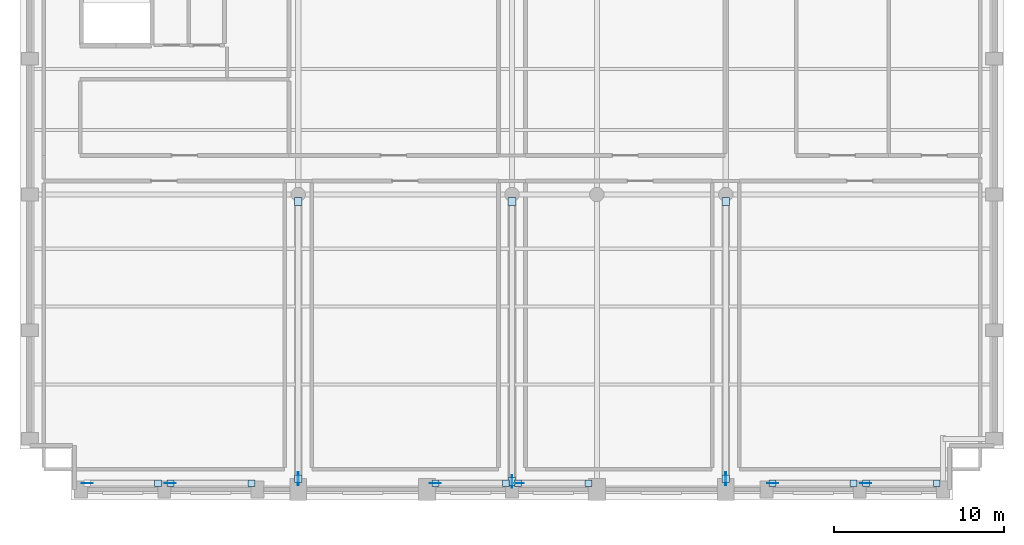
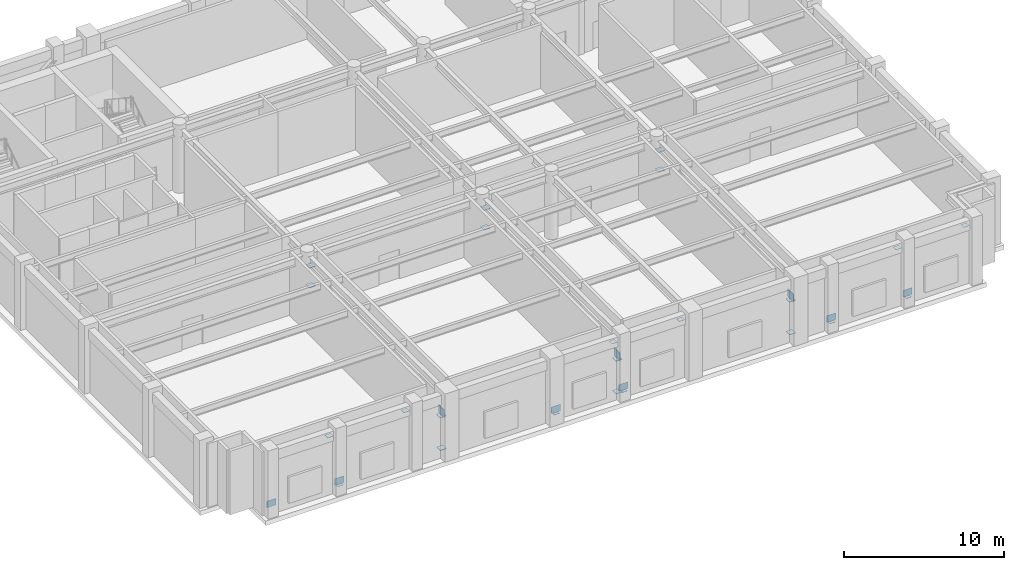
# One storey, part 3 of 11: 32 plates.
"""IFC4 building model written with IfcOpenShell, lengths in metres."""

from ifc_helpers import new_model, si_unit, direction, frame, origin, origin_2d, place, context, subcontext, project, spatial, rectangle, extrude, material, layer, layer_set, type_object, element, save


model = new_model("IFC4")

# Units and contexts
model_context = context("Model", 3, precision=1e-05, world=origin(), true_north=direction((0.0, 1.0)))
body_context = subcontext(model_context, "Body", "Model", "MODEL_VIEW")
ifc_project = project(units=[si_unit("LENGTHUNIT", "METRE"), si_unit("AREAUNIT", "SQUARE_METRE"), si_unit("VOLUMEUNIT", "CUBIC_METRE"), si_unit("PLANEANGLEUNIT", "RADIAN"), si_unit("MASSUNIT", "GRAM", prefix="KILO")], contexts=[model_context])

# Site, building, storey
site_placement = place(None, origin())
site = spatial("IfcSite", under=ifc_project, at=site_placement, CompositionType="ELEMENT")
building_placement = place(site_placement, origin())
building = spatial("IfcBuilding", under=site, at=building_placement, Name="Sulina Concourse Tower", CompositionType="ELEMENT")
storey_placement = place(building_placement, frame((0.0, 0.0, 238.60009765625)))
storey = spatial("IfcBuildingStorey", under=building, at=storey_placement, Name="L58", CompositionType="ELEMENT", Elevation=238.60009765625)

# Plates
ifc_material_1 = material(Name="Steel S355", Category="steel")
ifc_layer_1 = layer(ifc_material_1, 0.02490234375)
ifc_layer_set_1 = layer_set([ifc_layer_1], Name="Steel S355")
plate_type_1 = type_object("IfcPlateType", Name="Belt Truss Node Gusset Plate 25mm", PredefinedType="USERDEFINED", material=ifc_layer_set_1)
for number, where, z_axis, x_axis, name in (
    (1, (3.965087890625, 0.97998046875, 0.199951171875), (0.0, 0.0, 1.0), (1.0, 0.0, 0.0), "BLT-S1-L58 node gusset plate"),
    (2, (8.864990234375, 0.97998046875, 0.199951171875), (0.0, 0.0, 1.0), (1.0, 0.0, 0.0), "BLT-S2-L58 node gusset plate"),
    (3, (24.489990234375, 0.97998046875, 0.199951171875), (0.0, 0.0, 1.0), (1.0, 0.0, 0.0), "BLT-S3-L58 node gusset plate"),
    (4, (29.364990234375, 0.97998046875, 0.199951171875), (0.0, 0.0, 1.0), (1.0, 0.0, 0.0), "BLT-S4-L58 node gusset plate"),
    (5, (44.364990234375, 0.97998046875, 0.199951171875), (0.0, 0.0, 1.0), (1.0, 0.0, 0.0), "BLT-S5-L58 node gusset plate"),
    (6, (49.864990234375, 0.97998046875, 0.199951171875), (0.0, 0.0, 1.0), (1.0, 0.0, 0.0), "BLT-S6-L58 node gusset plate"),
):
    element("IfcPlate", number, at=place(storey_placement, frame(where, z_axis=z_axis, x_axis=x_axis)), inside=storey, type_object=plate_type_1, Name=name, ObjectType="GUSSET_PLATE", PredefinedType="USERDEFINED", context=body_context, shape_type="SweptSolid", body=[
        extrude(rectangle(XDim=0.64990234375, YDim=0.02490234375, at=origin_2d()), origin(), (0.0, 0.0, 1.0), 0.5),
    ])
ifc_material_2 = material(Name="Steel S355", Category="steel")
ifc_layer_2 = layer(ifc_material_2, 0.028076171875)
ifc_layer_set_2 = layer_set([ifc_layer_2], Name="Steel S355")
plate_type_2 = type_object("IfcPlateType", Name="Medium Hollow Section End-Cap Plate 28mm", PredefinedType="USERDEFINED", material=ifc_layer_set_2)
for number, where, z_axis, x_axis, name in (
    (7, (16.39990234375, 1.239990234375, 2.6357421875), (0.0, 0.0, 1.0), (1.0, 0.0, 0.0), "OUT-ST-W1-L58 end cap plate 1"),
    (8, (16.39990234375, 17.5849609375, 2.6357421875), (0.0, 0.0, 1.0), (1.0, 0.0, 0.0), "OUT-ST-W1-L58 end cap plate 2"),
    (9, (16.39990234375, 1.239990234375, 0.1357421875), (0.0, 0.0, 1.0), (1.0, 0.0, 0.0), "OUT-DG-W1-L58 end cap plate 1"),
    (10, (16.39990234375, 17.5849609375, 4.1357421875), (0.0, 0.0, 1.0), (1.0, 0.0, 0.0), "OUT-DG-W1-L58 end cap plate 2"),
    (11, (29.0, 1.090087890625, 2.6357421875), (0.0, 0.0, 1.0), (1.0, 0.0, 0.0), "OUT-ST-M1-L58 end cap plate 1"),
    (12, (29.0, 17.5849609375, 2.6357421875), (0.0, 0.0, 1.0), (1.0, 0.0, 0.0), "OUT-ST-M1-L58 end cap plate 2"),
    (13, (29.0, 1.090087890625, 0.1357421875), (0.0, 0.0, 1.0), (1.0, 0.0, 0.0), "OUT-DG-M1-L58 end cap plate 1"),
    (14, (29.0, 17.5849609375, 4.1357421875), (0.0, 0.0, 1.0), (1.0, 0.0, 0.0), "OUT-DG-M1-L58 end cap plate 2"),
    (15, (41.60009765625, 1.239990234375, 2.6357421875), (0.0, 0.0, 1.0), (1.0, 0.0, 0.0), "OUT-ST-E1-L58 end cap plate 1"),
    (16, (41.60009765625, 17.5849609375, 2.6357421875), (0.0, 0.0, 1.0), (1.0, 0.0, 0.0), "OUT-ST-E1-L58 end cap plate 2"),
    (17, (41.60009765625, 1.239990234375, 0.1357421875), (0.0, 0.0, 1.0), (1.0, 0.0, 0.0), "OUT-DG-E1-L58 end cap plate 1"),
    (18, (41.60009765625, 17.5849609375, 4.1357421875), (0.0, 0.0, 1.0), (1.0, 0.0, 0.0), "OUT-DG-E1-L58 end cap plate 2"),
):
    element("IfcPlate", number, at=place(storey_placement, frame(where, z_axis=z_axis, x_axis=x_axis)), inside=storey, type_object=plate_type_2, Name=name, ObjectType="CAP_PLATE", PredefinedType="USERDEFINED", context=body_context, shape_type="SweptSolid", body=[
        extrude(rectangle(XDim=0.4599609375, YDim=0.4599609375, at=origin_2d()), origin(), (0.0, 0.0, 1.0), 0.028076171875),
    ])
ifc_material_3 = material(Name="Steel S355", Category="steel")
ifc_layer_3 = layer(ifc_material_3, 0.031982421875)
ifc_layer_set_3 = layer_set([ifc_layer_3], Name="Steel S355")
plate_type_3 = type_object("IfcPlateType", Name="Outrigger Truss Gusset Plate 32mm", PredefinedType="USERDEFINED", material=ifc_layer_set_3)
for number, where, z_axis, x_axis, name in (
    (19, (16.39990234375, 1.239990234375, 2.64990234375), (0.0, 0.0, 1.0), (1.0, 0.0, 0.0), "OUT-ST-W1-L58 node gusset plate"),
    (20, (29.0, 1.090087890625, 2.64990234375), (0.0, 0.0, 1.0), (1.0, 0.0, 0.0), "OUT-ST-M1-L58 node gusset plate"),
    (21, (41.60009765625, 1.239990234375, 2.64990234375), (0.0, 0.0, 1.0), (1.0, 0.0, 0.0), "OUT-ST-E1-L58 node gusset plate"),
):
    element("IfcPlate", number, at=place(storey_placement, frame(where, z_axis=z_axis, x_axis=x_axis)), inside=storey, type_object=plate_type_3, Name=name, ObjectType="GUSSET_PLATE", PredefinedType="USERDEFINED", context=body_context, shape_type="SweptSolid", body=[
        extrude(rectangle(XDim=0.031982421875, YDim=0.75, at=origin_2d()), origin(), (0.0, 0.0, 1.0), 0.60009765625),
    ])
ifc_material_4 = material(Name="Steel S355", Category="steel")
ifc_layer_4 = layer(ifc_material_4, 0.02001953125)
ifc_layer_set_4 = layer_set([ifc_layer_4], Name="Steel S355")
plate_type_4 = type_object("IfcPlateType", Name="Upper Hollow Brace End-Cap Plate 20mm", PredefinedType="USERDEFINED", material=ifc_layer_set_4)
for number, where, z_axis, x_axis, name in (
    (22, (8.135009765625, 0.97998046875, 4.10986328125), (0.0, 0.0, 1.0), (1.0, 0.0, 0.0), "BLT-S1-L58 end cap plate 2"),
    (23, (8.864990234375, 0.97998046875, 0.139892578125), (0.0, 0.0, 1.0), (1.0, 0.0, 0.0), "BLT-S2-L58 end cap plate 1"),
    (24, (13.635009765625, 0.97998046875, 4.10986328125), (0.0, 0.0, 1.0), (1.0, 0.0, 0.0), "BLT-S2-L58 end cap plate 2"),
    (25, (24.489990234375, 0.97998046875, 0.139892578125), (0.0, 0.0, 1.0), (1.0, 0.0, 0.0), "BLT-S3-L58 end cap plate 1"),
    (26, (28.635009765625, 0.97998046875, 4.10986328125), (0.0, 0.0, 1.0), (1.0, 0.0, 0.0), "BLT-S3-L58 end cap plate 2"),
    (27, (29.364990234375, 0.97998046875, 0.139892578125), (0.0, 0.0, 1.0), (1.0, 0.0, 0.0), "BLT-S4-L58 end cap plate 1"),
    (28, (33.510009765625, 0.97998046875, 4.10986328125), (0.0, 0.0, 1.0), (1.0, 0.0, 0.0), "BLT-S4-L58 end cap plate 2"),
    (29, (44.364990234375, 0.97998046875, 0.139892578125), (0.0, 0.0, 1.0), (1.0, 0.0, 0.0), "BLT-S5-L58 end cap plate 1"),
    (30, (49.135009765625, 0.97998046875, 4.10986328125), (0.0, 0.0, 1.0), (1.0, 0.0, 0.0), "BLT-S5-L58 end cap plate 2"),
    (31, (49.864990234375, 0.97998046875, 0.139892578125), (0.0, 0.0, 1.0), (1.0, 0.0, 0.0), "BLT-S6-L58 end cap plate 1"),
    (32, (54.034912109375, 0.97998046875, 4.10986328125), (0.0, 0.0, 1.0), (1.0, 0.0, 0.0), "BLT-S6-L58 end cap plate 2"),
):
    element("IfcPlate", number, at=place(storey_placement, frame(where, z_axis=z_axis, x_axis=x_axis)), inside=storey, type_object=plate_type_4, Name=name, ObjectType="CAP_PLATE", PredefinedType="USERDEFINED", context=body_context, shape_type="SweptSolid", body=[
        extrude(rectangle(XDim=0.409912109375, YDim=0.360107421875, at=origin_2d()), origin(), (0.0, 0.0, 1.0), 0.02001953125),
    ])

save(model, "model.ifc")
